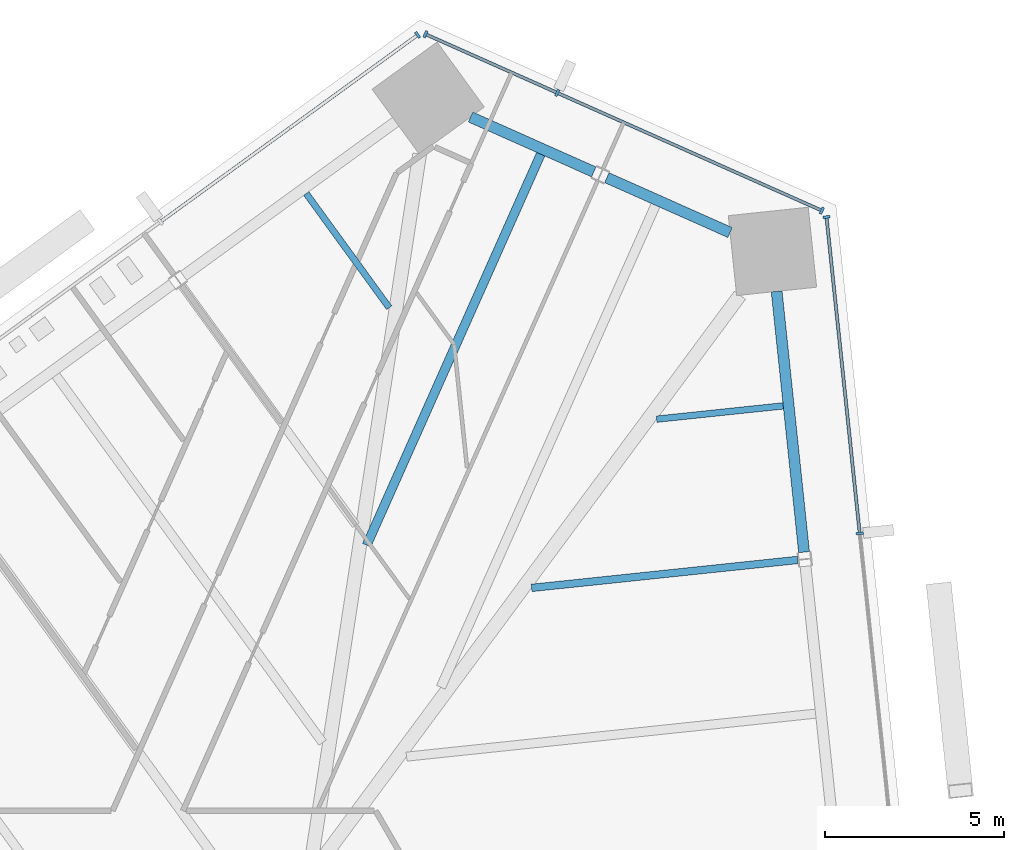
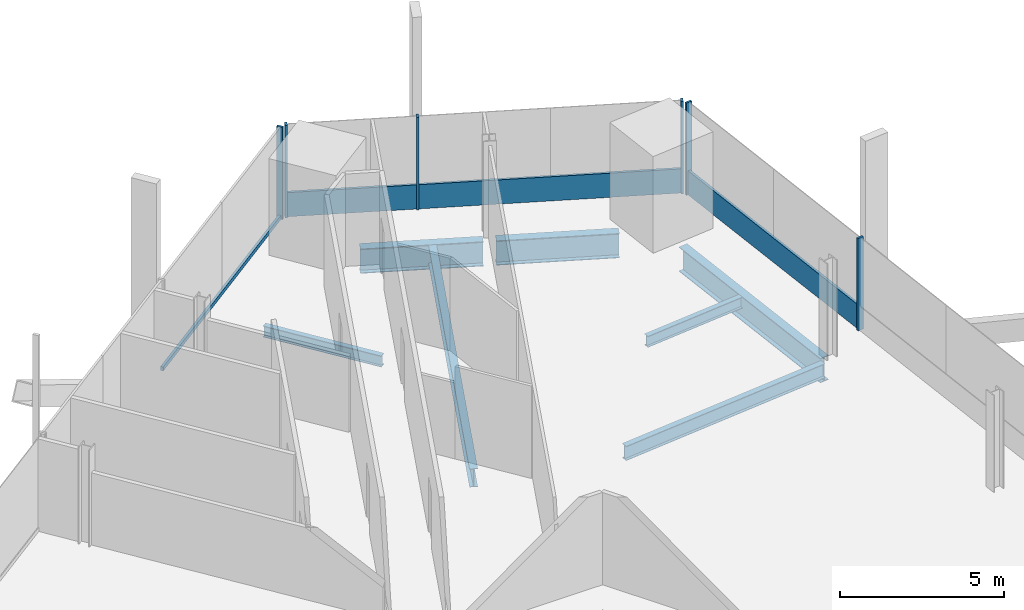
# One storey, part 9 of 21: 10 members, 7 beams, 3 elements without a shape of their own.
"""IFC4 building model written with IfcOpenShell, lengths in metres."""

from ifc_helpers import new_model, si_unit, direction, frame, origin, origin_2d, place, context, subcontext, project, spatial, rectangle, i_section, extrude, source, transform, mapped, material, material_profile, profile_set, type_object, element, aggregate, save


model = new_model("IFC4")

# Units and contexts
model_context = context("Model", 3, precision=1e-05, world=origin(), true_north=direction((0.0, 1.0)))
body_context = subcontext(model_context, "Body", "Model", "MODEL_VIEW")
ifc_project = project(units=[si_unit("LENGTHUNIT", "METRE"), si_unit("AREAUNIT", "SQUARE_METRE"), si_unit("VOLUMEUNIT", "CUBIC_METRE"), si_unit("PLANEANGLEUNIT", "RADIAN"), si_unit("MASSUNIT", "GRAM", prefix="KILO")], contexts=[model_context])

# Site, building, storey
site_placement = place(None, origin())
site = spatial("IfcSite", under=ifc_project, at=site_placement, CompositionType="ELEMENT")
building_placement = place(site_placement, origin())
building = spatial("IfcBuilding", under=site, at=building_placement, Name="Triune Harvest Tower", CompositionType="ELEMENT")
storey_placement = place(building_placement, frame((0.0, 0.0, 65.699951171875)))
storey = spatial("IfcBuildingStorey", under=building, at=storey_placement, Name="L15", CompositionType="ELEMENT", Elevation=65.699951171875)

# Beams
ifc_material_1 = material(Name="Steel ASTM A992 Gr 50", Category="steel")
ifc_material_profile_1 = material_profile(ifc_material_1, i_section(OverallWidth=0.3046875, OverallDepth=0.914306640625, WebThickness=0.0166015625, FlangeThickness=0.02587890625, at=origin_2d()), Name="W36x160")
ifc_profile_set_1 = profile_set([ifc_material_profile_1], Name="Steel ASTM A992 Gr 50")
beam_type_1 = type_object("IfcBeamType", Name="SB-1 Spandrel beam W36x160", PredefinedType="SPANDREL", material=ifc_profile_set_1)
shared_shape_1 = source(origin(), body_context, "Body", "SweptSolid", [
    extrude(i_section(OverallWidth=0.3046875, OverallDepth=0.914306640625, WebThickness=0.0166015625, FlangeThickness=0.02587890625, at=origin_2d()), origin(), (0.0, 0.0, 1.0), 7.338134765625),
])
beam_1_placement = place(storey_placement, frame((19.145263671875, 19.632568359375, -0.6171875), z_axis=(-0.104502933908, 0.994524578281, 0.0), x_axis=(-0.994524578281, -0.104502933908, 0.0)))
element("IfcBeam", 1, at=beam_1_placement, inside=storey, type_object=beam_type_1, Name="beam/L15/SB6", PredefinedType="SPANDREL", context=body_context, shape_type="MappedRepresentation", body=[
    mapped(shared_shape_1, transform((0.0, 0.0, 0.0), scale=1.0)),
])
shared_shape_2 = source(origin(), body_context, "Body", "SweptSolid", [
    extrude(i_section(OverallWidth=0.3046875, OverallDepth=0.914306640625, WebThickness=0.0166015625, FlangeThickness=0.02587890625, at=origin_2d()), origin(), (0.0, 0.0, 1.0), 3.77490234375),
])
beam_2_placement = place(storey_placement, frame((17.073974609375, 28.577392578125, -0.6171875), z_axis=(-0.913541977346, 0.40674445986, 0.0), x_axis=(-0.40674445986, -0.913541977346, 0.0)))
element("IfcBeam", 2, at=beam_2_placement, inside=storey, type_object=beam_type_1, Name="beam/L15/SB7", PredefinedType="SPANDREL", context=body_context, shape_type="MappedRepresentation", body=[
    mapped(shared_shape_2, transform((0.0, 0.0, 0.0), scale=1.0)),
])
shared_shape_3 = source(origin(), body_context, "Body", "SweptSolid", [
    extrude(i_section(OverallWidth=0.3046875, OverallDepth=0.914306640625, WebThickness=0.0166015625, FlangeThickness=0.02587890625, at=origin_2d()), origin(), (0.0, 0.0, 1.0), 3.774658203125),
])
beam_3_placement = place(storey_placement, frame((13.260986328125, 30.275146484375, -0.6171875), z_axis=(-0.913566008399, 0.406690482182, 0.0), x_axis=(-0.406690482182, -0.913566008399, 0.0)))
element("IfcBeam", 3, at=beam_3_placement, inside=storey, type_object=beam_type_1, Name="beam/L15/SB8", PredefinedType="SPANDREL", context=body_context, shape_type="MappedRepresentation", body=[
    mapped(shared_shape_3, transform((0.0, 0.0, 0.0), scale=1.0)),
])
ifc_material_2 = material(Name="Steel ASTM A992 Gr 50", Category="steel")
ifc_material_profile_2 = material_profile(ifc_material_2, i_section(OverallWidth=0.180908203125, OverallDepth=0.41650390625, WebThickness=0.010986328125, FlangeThickness=0.01806640625, at=origin_2d()), Name="W16x57")
ifc_profile_set_2 = profile_set([ifc_material_profile_2], Name="Steel ASTM A992 Gr 50")
beam_type_2 = type_object("IfcBeamType", Name="JT-1 Floor joist W16x57", PredefinedType="JOIST", material=ifc_profile_set_2)
shared_shape_4 = source(origin(), body_context, "Body", "SweptSolid", [
    extrude(i_section(OverallWidth=0.180908203125, OverallDepth=0.41650390625, WebThickness=0.010986328125, FlangeThickness=0.01806640625, at=origin_2d()), origin(), (0.0, 0.0, 1.0), 3.95068359375),
])
beam_4_placement = place(storey_placement, frame((5.21142578125, 29.669677734375, -0.3681640625), z_axis=(0.587818894271, -0.808992550978, 0.0), x_axis=(0.808992550978, 0.587818894271, 0.0)))
element("IfcBeam", 4, at=beam_4_placement, inside=storey, type_object=beam_type_2, Name="beam/L15/JT14", PredefinedType="JOIST", context=body_context, shape_type="MappedRepresentation", body=[
    mapped(shared_shape_4, transform((0.0, 0.0, 0.0), scale=1.0)),
])
ifc_material_3 = material(Name="Steel ASTM A992 Gr 50", Category="steel")
ifc_material_profile_3 = material_profile(ifc_material_3, i_section(OverallWidth=0.2099609375, OverallDepth=0.535888671875, WebThickness=0.010986328125, FlangeThickness=0.017333984375, at=origin_2d()), Name="W21x68")
ifc_profile_set_3 = profile_set([ifc_material_profile_3], Name="Steel ASTM A992 Gr 50")
beam_type_3 = type_object("IfcBeamType", Name="JT-2 Floor joist W21x68", PredefinedType="JOIST", material=ifc_profile_set_3)
shared_shape_5 = source(origin(), body_context, "Body", "SweptSolid", [
    extrude(i_section(OverallWidth=0.2099609375, OverallDepth=0.535888671875, WebThickness=0.010986328125, FlangeThickness=0.017333984375, at=origin_2d()), origin(), (0.0, 0.0, 1.0), 7.491943359375),
])
beam_5_placement = place(storey_placement, frame((18.97021484375, 19.413818359375, -0.427978515625), z_axis=(-0.994520798259, -0.104538901039, 0.0), x_axis=(0.104538901039, -0.994520798259, 0.0)))
element("IfcBeam", 5, at=beam_5_placement, inside=storey, type_object=beam_type_3, Name="beam/L15/JT10", PredefinedType="JOIST", context=body_context, shape_type="MappedRepresentation", body=[
    mapped(shared_shape_5, transform((0.0, 0.0, 0.0), scale=1.0)),
])
shared_shape_6 = source(origin(), body_context, "Body", "SweptSolid", [
    extrude(i_section(OverallWidth=0.180908203125, OverallDepth=0.41650390625, WebThickness=0.010986328125, FlangeThickness=0.01806640625, at=origin_2d()), origin(), (0.0, 0.0, 1.0), 3.562255859375),
])
beam_6_placement = place(storey_placement, frame((18.56201171875, 23.725830078125, -0.3681640625), z_axis=(-0.994523089103, -0.104517105016, 0.0), x_axis=(0.104517105016, -0.994523089103, 0.0)))
element("IfcBeam", 6, at=beam_6_placement, inside=storey, type_object=beam_type_2, Name="beam/L15/JT11", PredefinedType="JOIST", context=body_context, shape_type="MappedRepresentation", body=[
    mapped(shared_shape_6, transform((0.0, 0.0, 0.0), scale=1.0)),
])
ifc_material_4 = material(Name="Steel ASTM A992 Gr 50", Category="steel")
ifc_material_profile_4 = material_profile(ifc_material_4, i_section(OverallWidth=0.253662109375, OverallDepth=0.683349609375, WebThickness=0.012451171875, FlangeThickness=0.01904296875, at=origin_2d()), Name="W27x94")
ifc_profile_set_4 = profile_set([ifc_material_profile_4], Name="Steel ASTM A992 Gr 50")
beam_type_4 = type_object("IfcBeamType", Name="JT-4 Floor joist W27x94", PredefinedType="JOIST", material=ifc_profile_set_4)
shared_shape_7 = source(origin(), body_context, "Body", "SweptSolid", [
    extrude(i_section(OverallWidth=0.253662109375, OverallDepth=0.683349609375, WebThickness=0.012451171875, FlangeThickness=0.01904296875, at=origin_2d()), origin(), (0.0, 0.0, 1.0), 11.977783203125),
])
beam_7_placement = place(storey_placement, frame((11.775390625, 30.769775390625, -0.50146484375), z_axis=(-0.406717086171, -0.913554164687, 0.0), x_axis=(0.913554164687, -0.406717086171, 0.0)))
element("IfcBeam", 7, at=beam_7_placement, inside=storey, type_object=beam_type_4, Name="beam/L15/JT13", PredefinedType="JOIST", context=body_context, shape_type="MappedRepresentation", body=[
    mapped(shared_shape_7, transform((0.0, 0.0, 0.0), scale=1.0)),
])

# Curtain wall, members
ifc_material_5 = material(Name="Aluminium bronze anodised", Category="aluminium")
curtain_wall_type_1 = type_object("IfcCurtainWallType", Name="CW-1 Tower stick curtain wall", PredefinedType="NOTDEFINED", material=ifc_material_5)
curtain_wall_1_placement = place(storey_placement, origin())
curtain_wall_1 = element("IfcCurtainWall", 8, at=curtain_wall_1_placement, inside=storey, type_object=curtain_wall_type_1, Name="CW-1 B2-F1 L15 run 1001")
ifc_material_6 = material(Name="Aluminium bronze anodised", Category="aluminium")
ifc_material_profile_5 = material_profile(ifc_material_6, rectangle(XDim=0.199951171875, YDim=0.074951171875, at=origin_2d()), Name="MU-1 mullion 75 x 200")
ifc_profile_set_5 = profile_set([ifc_material_profile_5], Name="Aluminium bronze anodised")
member_type_1 = type_object("IfcMemberType", Name="MU-1 mullion 75 x 200", PredefinedType="MULLION", material=ifc_profile_set_5)
shared_shape_8 = source(origin(), body_context, "Body", "SweptSolid", [
    extrude(rectangle(XDim=0.199951171875, YDim=0.074951171875, at=origin_2d()), origin(), (0.0, 0.0, 1.0), 3.43994140625),
])
member_1_placement = place(storey_placement, frame((20.7041015625, 20.156982421875, 0.0), z_axis=(0.0, 0.0, 1.0), x_axis=(-0.994521976051, -0.104527695624, 0.0)))
member_1 = element("IfcMember", 9, at=member_1_placement, type_object=member_type_1, Name="CW-1 mullion B2-F1 1001.7", PredefinedType="MULLION", context=body_context, shape_type="MappedRepresentation", body=[
    mapped(shared_shape_8, transform((0.0, 0.0, 0.0), scale=1.0)),
])
member_2_placement = place(storey_placement, frame((19.7734375, 29.01171875, 0.0), z_axis=(0.0, 0.0, 1.0), x_axis=(-0.994521976051, -0.104527695624, 0.0)))
member_2 = element("IfcMember", 10, at=member_2_placement, type_object=member_type_1, Name="CW-1 mullion B2-F1 1001.9", PredefinedType="MULLION", context=body_context, shape_type="MappedRepresentation", body=[
    mapped(shared_shape_8, transform((0.0, 0.0, 0.0), scale=1.0)),
])

curtain_wall_2_placement = place(storey_placement, origin())
curtain_wall_2 = element("IfcCurtainWall", 11, at=curtain_wall_2_placement, inside=storey, type_object=curtain_wall_type_1, Name="CW-1 B2-F2 L15 run 1")
member_3_placement = place(storey_placement, frame((19.643798828125, 29.1904296875, 0.0), z_axis=(0.0, 0.0, 1.0), x_axis=(-0.406733978386, -0.913546644034, 0.0)))
member_3 = element("IfcMember", 12, at=member_3_placement, type_object=member_type_1, Name="CW-1 mullion B2-F2 1.1", PredefinedType="MULLION", context=body_context, shape_type="MappedRepresentation", body=[
    mapped(shared_shape_8, transform((0.0, 0.0, 0.0), scale=1.0)),
])
member_4_placement = place(storey_placement, frame((12.2353515625, 32.48876953125, 0.0), z_axis=(0.0, 0.0, 1.0), x_axis=(-0.406733978386, -0.913546644034, 0.0)))
member_4 = element("IfcMember", 13, at=member_4_placement, type_object=member_type_1, Name="CW-1 mullion B2-F2 1.3", PredefinedType="MULLION", context=body_context, shape_type="MappedRepresentation", body=[
    mapped(shared_shape_8, transform((0.0, 0.0, 0.0), scale=1.0)),
])
member_5_placement = place(storey_placement, frame((8.548583984375, 34.13037109375, 0.0), z_axis=(0.0, 0.0, 1.0), x_axis=(-0.406733978386, -0.913546644034, 0.0)))
member_5 = element("IfcMember", 14, at=member_5_placement, type_object=member_type_1, Name="CW-1 mullion B2-F2 1.4", PredefinedType="MULLION", context=body_context, shape_type="MappedRepresentation", body=[
    mapped(shared_shape_8, transform((0.0, 0.0, 0.0), scale=1.0)),
])
ifc_material_7 = material(Name="Aluminium bronze anodised", Category="aluminium")
ifc_material_profile_6 = material_profile(ifc_material_7, rectangle(XDim=0.090087890625, YDim=0.89990234375, at=origin_2d()), Name="TR-1 transom 90 x 900")
ifc_profile_set_6 = profile_set([ifc_material_profile_6], Name="Aluminium bronze anodised")
member_type_2 = type_object("IfcMemberType", Name="TR-1 transom 90 x 900", PredefinedType="USERDEFINED", material=ifc_profile_set_6)
shared_shape_9 = source(origin(), body_context, "Body", "SweptSolid", [
    extrude(rectangle(XDim=0.090087890625, YDim=0.89990234375, at=origin_2d()), origin(), (0.0, 0.0, 1.0), 8.0341796875),
])
member_6_placement = place(storey_placement, frame((19.609375, 29.205810546875, 0.449951171875), z_axis=(-0.913544441051, 0.40673892637, 0.0), x_axis=(-0.40673892637, -0.913544441051, 0.0)))
member_6 = element("IfcMember", 15, at=member_6_placement, type_object=member_type_2, Name="CW-1 transom B2-F2 1.1", ObjectType="TRANSOM", PredefinedType="USERDEFINED", context=body_context, shape_type="MappedRepresentation", body=[
    mapped(shared_shape_9, transform((0.0, 0.0, 0.0), scale=1.0)),
])
shared_shape_10 = source(origin(), body_context, "Body", "SweptSolid", [
    extrude(rectangle(XDim=0.090087890625, YDim=0.89990234375, at=origin_2d()), origin(), (0.0, 0.0, 1.0), 3.960693359375),
])
member_7_placement = place(storey_placement, frame((12.201171875, 32.504150390625, 0.449951171875), z_axis=(-0.913562276019, 0.406698866282, 0.0), x_axis=(-0.406698866282, -0.913562276019, 0.0)))
member_7 = element("IfcMember", 16, at=member_7_placement, type_object=member_type_2, Name="CW-1 transom B2-F2 1.2", ObjectType="TRANSOM", PredefinedType="USERDEFINED", context=body_context, shape_type="MappedRepresentation", body=[
    mapped(shared_shape_10, transform((0.0, 0.0, 0.0), scale=1.0)),
])
aggregate(curtain_wall_2, [member_3, member_4, member_5, member_6, member_7])

# Curtain wall, member
ifc_material_8 = material(Name="Aluminium bronze anodised", Category="aluminium")
curtain_wall_type_2 = type_object("IfcCurtainWallType", Name="CW-10 Balcony window wall with insulated spandrel infill", PredefinedType="NOTDEFINED", material=ifc_material_8)
curtain_wall_3_placement = place(storey_placement, origin())
curtain_wall_3 = element("IfcCurtainWall", 17, at=curtain_wall_3_placement, inside=storey, type_object=curtain_wall_type_2, Name="CW-10 B2-F3 L15 run 1")
ifc_material_9 = material(Name="Aluminium bronze anodised", Category="aluminium")
ifc_material_profile_7 = material_profile(ifc_material_9, rectangle(XDim=0.199951171875, YDim=0.074951171875, at=origin_2d()), Name="MU-6 mullion 75 x 200")
ifc_profile_set_7 = profile_set([ifc_material_profile_7], Name="Aluminium bronze anodised")
member_type_3 = type_object("IfcMemberType", Name="MU-6 mullion 75 x 200", PredefinedType="MULLION", material=ifc_profile_set_7)
shared_shape_11 = source(origin(), body_context, "Body", "SweptSolid", [
    extrude(rectangle(XDim=0.199951171875, YDim=0.074951171875, at=origin_2d()), origin(), (0.0, 0.0, 1.0), 3.43994140625),
])
member_8_placement = place(storey_placement, frame((8.328857421875, 34.107177734375, 0.0), z_axis=(0.0, 0.0, 1.0), x_axis=(0.587784950618, -0.809017213554, 0.0)))
member_8 = element("IfcMember", 18, at=member_8_placement, type_object=member_type_3, Name="CW-10 mullion B2-F3 1.1", PredefinedType="MULLION", context=body_context, shape_type="MappedRepresentation", body=[
    mapped(shared_shape_11, transform((0.0, 0.0, 0.0), scale=1.0)),
])

# Member
shared_shape_12 = source(origin(), body_context, "Body", "SweptSolid", [
    extrude(rectangle(XDim=0.090087890625, YDim=0.89990234375, at=origin_2d()), origin(), (0.0, 0.0, 1.0), 8.82861328125),
])
member_9_placement = place(storey_placement, frame((20.7001953125, 20.1943359375, 0.449951171875), z_axis=(-0.10452931889, 0.994521805438, 0.0), x_axis=(-0.994521805438, -0.10452931889, 0.0)))
member_9 = element("IfcMember", 19, at=member_9_placement, type_object=member_type_2, Name="CW-1 transom B2-F1 1001.4", ObjectType="TRANSOM", PredefinedType="USERDEFINED", context=body_context, shape_type="MappedRepresentation", body=[
    mapped(shared_shape_12, transform((0.0, 0.0, 0.0), scale=1.0)),
])

aggregate(curtain_wall_1, [member_1, member_2, member_9])

ifc_material_10 = material(Name="Aluminium bronze anodised", Category="aluminium")
ifc_material_profile_8 = material_profile(ifc_material_10, rectangle(XDim=0.090087890625, YDim=0.14990234375, at=origin_2d()), Name="TR-6 transom 90 x 150")
ifc_profile_set_8 = profile_set([ifc_material_profile_8], Name="Aluminium bronze anodised")
member_type_4 = type_object("IfcMemberType", Name="TR-6 transom 90 x 150", PredefinedType="USERDEFINED", material=ifc_profile_set_8)
shared_shape_13 = source(origin(), body_context, "Body", "SweptSolid", [
    extrude(rectangle(XDim=0.090087890625, YDim=0.14990234375, at=origin_2d()), origin(), (0.0, 0.0, 1.0), 8.82275390625),
])
member_10_placement = place(storey_placement, frame((8.298583984375, 34.085205078125, 0.074951171875), z_axis=(-0.809019591247, -0.587781677988, 0.0), x_axis=(0.587781677988, -0.809019591247, 0.0)))
member_10 = element("IfcMember", 20, at=member_10_placement, type_object=member_type_4, Name="CW-10 transom B2-F3 1.1", ObjectType="TRANSOM", PredefinedType="USERDEFINED", context=body_context, shape_type="MappedRepresentation", body=[
    mapped(shared_shape_13, transform((0.0, 0.0, 0.0), scale=1.0)),
])

aggregate(curtain_wall_3, [member_8, member_10])

save(model, "model.ifc")
